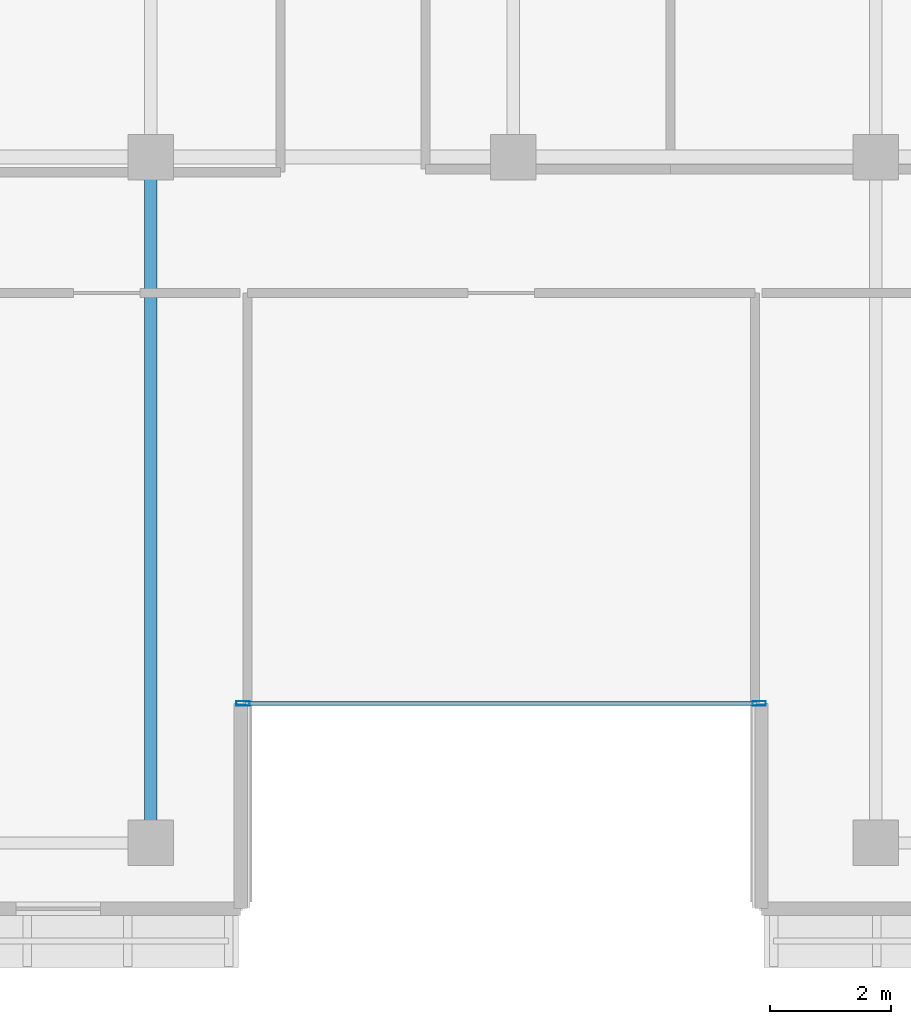
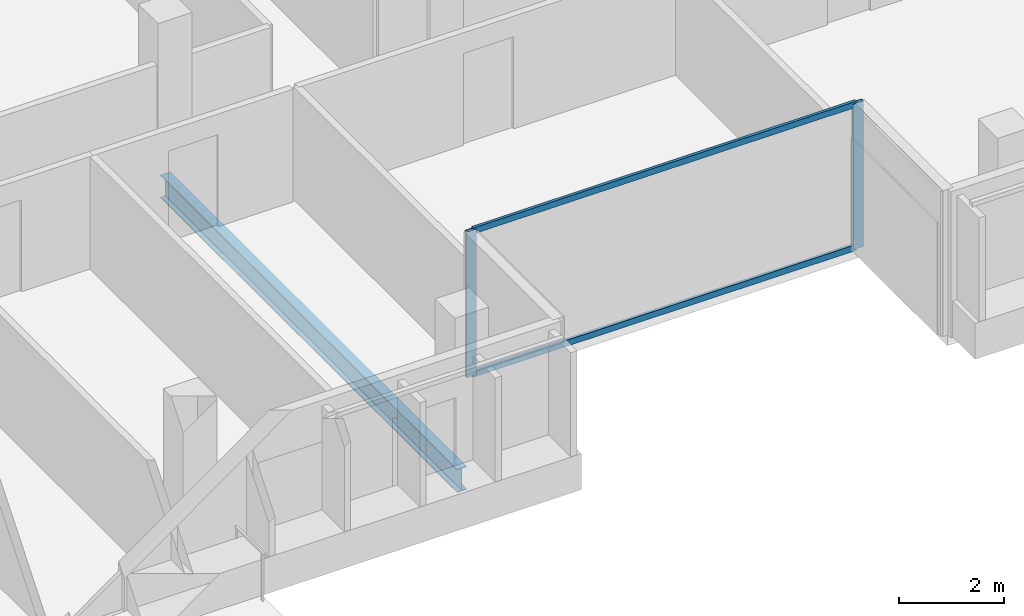
# One storey, part 2 of 17: 4 members, 1 beam, 1 element without a shape of its own.
"""IFC4 building model written with IfcOpenShell, lengths in metres."""

from ifc_helpers import new_model, si_unit, direction, frame, origin, origin_2d, place, context, subcontext, project, spatial, hollow_rectangle, i_section, extrude, material, layer, layer_set, material_profile, profile_set, type_object, element, aggregate, save


model = new_model("IFC4")

# Units and contexts
model_context = context("Model", 3, precision=1e-05, world=origin(), true_north=direction((0.0, 1.0)))
body_context = subcontext(model_context, "Body", "Model", "MODEL_VIEW")
ifc_project = project(units=[si_unit("LENGTHUNIT", "METRE"), si_unit("AREAUNIT", "SQUARE_METRE"), si_unit("VOLUMEUNIT", "CUBIC_METRE"), si_unit("PLANEANGLEUNIT", "RADIAN"), si_unit("MASSUNIT", "GRAM", prefix="KILO")], contexts=[model_context])

# Site, building, storey
site_placement = place(None, origin())
site = spatial("IfcSite", under=ifc_project, at=site_placement, CompositionType="ELEMENT")
building_placement = place(site_placement, origin())
building = spatial("IfcBuilding", under=site, at=building_placement, Name="Tanjung Sevakor Pilgrim Tower", CompositionType="ELEMENT")
storey_placement = place(building_placement, frame((0.0, 0.0, 219.1201171875)))
storey = spatial("IfcBuildingStorey", under=building, at=storey_placement, Name="L61", CompositionType="ELEMENT", Elevation=219.1201171875)

# Beam
ifc_material_1 = material(Name="Steel S355J2", Category="steel")
ifc_material_profile_1 = material_profile(ifc_material_1, i_section(OverallWidth=0.2119140625, OverallDepth=0.54443359375, WebThickness=0.0126953125, FlangeThickness=0.021240234375, FilletRadius=0.0126953125, at=origin_2d()))
ifc_profile_set_1 = profile_set([ifc_material_profile_1], Name="Steel S355J2")
beam_type = type_object("IfcBeamType", Name="BM-B-G5-UB_533x210x122", PredefinedType="BEAM", material=ifc_profile_set_1)
beam_placement = place(storey_placement, frame((42.0, 13.25, -0.492431640625), z_axis=(0.0, 1.0, 0.0), x_axis=(-1.0, 0.0, 0.0)))
element("IfcBeam", 1, at=beam_placement, inside=storey, type_object=beam_type, Name="L61 MAIN Girder 003", PredefinedType="BEAM", context=body_context, shape_type="SweptSolid", body=[
    extrude(i_section(OverallWidth=0.2119140625, OverallDepth=0.54443359375, WebThickness=0.0126953125, FlangeThickness=0.021240234375, FilletRadius=0.0126953125, at=origin_2d()), origin(), (0.0, 0.0, 1.0), 11.35009765625),
])

# Curtain wall, members
ifc_material_2 = material(Name="Aluminium 6063-T6 and Low-E Glass", Category="aluminium")
ifc_layer = layer(ifc_material_2, 0.179931640625)
ifc_layer_set = layer_set([ifc_layer], Name="CW-SYS-CLEFT")
curtain_wall_type = type_object("IfcCurtainWallType", Name="CW-SYS-CLEFT", PredefinedType="NOTDEFINED", material=ifc_layer_set)
curtain_wall_placement = place(storey_placement, origin())
curtain_wall = element("IfcCurtainWall", 2, at=curtain_wall_placement, inside=storey, type_object=curtain_wall_type, Name="L61 Curtain Wall CW-CLF-L61-2", PredefinedType="NOTDEFINED")
ifc_material_3 = material(Name="Aluminium 6063-T6", Category="aluminium")
ifc_material_profile_2 = material_profile(ifc_material_3, hollow_rectangle(XDim=0.074951171875, YDim=0.219970703125, WallThickness=0.0048828125, at=origin_2d()))
ifc_profile_set_2 = profile_set([ifc_material_profile_2], Name="Aluminium 6063-T6")
member_type_1 = type_object("IfcMemberType", Name="TYPE-CWM-2", PredefinedType="MULLION", material=ifc_profile_set_2)
member_1_placement = place(storey_placement, frame((43.527587890625, 15.56005859375, 0.0), z_axis=(0.0, 0.0, 1.0), x_axis=(0.0, 1.0, 0.0)))
member_1 = element("IfcMember", 3, at=member_1_placement, type_object=member_type_1, Name="CW-CLF mullion 1", PredefinedType="MULLION", context=body_context, shape_type="SweptSolid", body=[
    extrude(hollow_rectangle(XDim=0.074951171875, YDim=0.219970703125, WallThickness=0.0048828125, at=origin_2d()), origin(), (0.0, 0.0, 1.0), 3.409912109375),
])
member_2_placement = place(storey_placement, frame((52.072509765625, 15.56005859375, 0.0), z_axis=(0.0, 0.0, 1.0), x_axis=(0.0, 1.0, 0.0)))
member_2 = element("IfcMember", 4, at=member_2_placement, type_object=member_type_1, Name="CW-CLF mullion 2", PredefinedType="MULLION", context=body_context, shape_type="SweptSolid", body=[
    extrude(hollow_rectangle(XDim=0.074951171875, YDim=0.219970703125, WallThickness=0.0048828125, at=origin_2d()), origin(), (0.0, 0.0, 1.0), 3.409912109375),
])
ifc_material_4 = material(Name="Aluminium 6063-T6", Category="aluminium")
ifc_material_profile_3 = material_profile(ifc_material_4, hollow_rectangle(XDim=0.06494140625, YDim=0.139892578125, WallThickness=0.00390625, at=origin_2d()))
ifc_profile_set_3 = profile_set([ifc_material_profile_3], Name="Aluminium 6063-T6")
member_type_2 = type_object("IfcMemberType", Name="TYPE-CWT-1", PredefinedType="USERDEFINED", material=ifc_profile_set_3)
member_3_placement = place(storey_placement, frame((43.56494140625, 15.56005859375, 0.032470703125), z_axis=(1.0, 0.0, 0.0), x_axis=(0.0, 1.0, 0.0)))
member_3 = element("IfcMember", 5, at=member_3_placement, type_object=member_type_2, Name="CW-CLF transom 1.1", ObjectType="TRANSOM", PredefinedType="USERDEFINED", context=body_context, shape_type="SweptSolid", body=[
    extrude(hollow_rectangle(XDim=0.06494140625, YDim=0.139892578125, WallThickness=0.00390625, at=origin_2d()), origin(), (0.0, 0.0, 1.0), 8.469970703125),
])
member_4_placement = place(storey_placement, frame((43.56494140625, 15.56005859375, 3.37744140625), z_axis=(1.0, 0.0, 0.0), x_axis=(0.0, 1.0, 0.0)))
member_4 = element("IfcMember", 6, at=member_4_placement, type_object=member_type_2, Name="CW-CLF transom 1.2", ObjectType="TRANSOM", PredefinedType="USERDEFINED", context=body_context, shape_type="SweptSolid", body=[
    extrude(hollow_rectangle(XDim=0.06494140625, YDim=0.139892578125, WallThickness=0.00390625, at=origin_2d()), origin(), (0.0, 0.0, 1.0), 8.469970703125),
])
aggregate(curtain_wall, [member_1, member_2, member_3, member_4])

save(model, "model.ifc")
